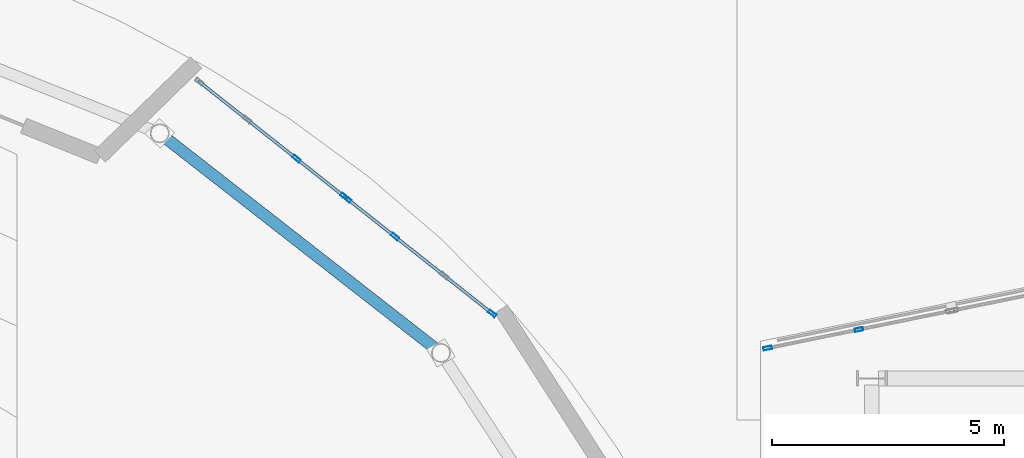
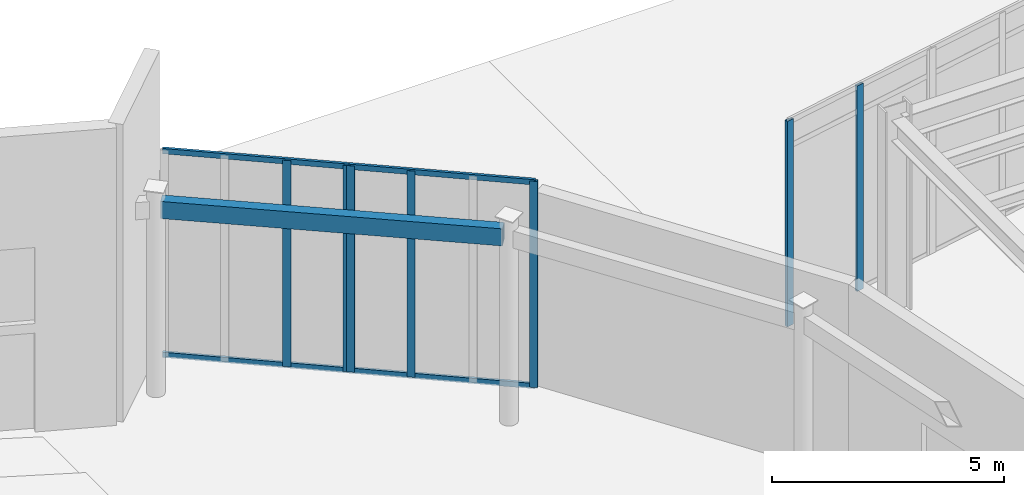
# One storey, part 43 of 94: 11 members, 1 beam, 3 elements without a shape of their own.
"""IFC4 building model written with IfcOpenShell, lengths in metres."""

from ifc_helpers import new_model, si_unit, direction, frame, origin, origin_2d, place, context, subcontext, project, spatial, hollow_rectangle, extrude, material, layer, layer_set, material_profile, profile_set, type_object, element, aggregate, save


model = new_model("IFC4")

# Units and contexts
model_context = context("Model", 3, precision=1e-05, world=origin(), true_north=direction((0.0, 1.0)))
body_context = subcontext(model_context, "Body", "Model", "MODEL_VIEW")
ifc_project = project(units=[si_unit("LENGTHUNIT", "METRE"), si_unit("AREAUNIT", "SQUARE_METRE"), si_unit("VOLUMEUNIT", "CUBIC_METRE"), si_unit("PLANEANGLEUNIT", "RADIAN"), si_unit("MASSUNIT", "GRAM", prefix="KILO")], contexts=[model_context])

# Site, building, storey
site_placement = place(None, origin())
site = spatial("IfcSite", under=ifc_project, at=site_placement, CompositionType="ELEMENT")
building_placement = place(site_placement, origin())
building = spatial("IfcBuilding", under=site, at=building_placement, Name="Sollismere Congress Hotel", CompositionType="ELEMENT")
storey_placement = place(building_placement, origin())
storey = spatial("IfcBuildingStorey", under=building, at=storey_placement, Name="L00", CompositionType="ELEMENT", Elevation=0.0)

# Beam
ifc_material_1 = material(Name="Steel ASTM A500 Grade C", Category="steel")
ifc_material_profile_1 = material_profile(ifc_material_1, hollow_rectangle(XDim=0.25, YDim=0.449951171875, WallThickness=0.01611328125, at=origin_2d()), Name="HSS450X250X16")
ifc_profile_set_1 = profile_set([ifc_material_profile_1], Name="Steel ASTM A500 Grade C")
beam_type = type_object("IfcBeamType", Name="BM-BX450", PredefinedType="HOLLOWCORE", material=ifc_profile_set_1)
beam_placement = place(storey_placement, frame((51.031982421875, 103.02294921875, 4.889892578125), z_axis=(-0.788263734949, 0.615337536775, 0.0), x_axis=(-0.615337536775, -0.788263734949, 0.0)))
element("IfcBeam", 1, at=beam_placement, inside=storey, type_object=beam_type, Name="Beam BM-L00-4168", PredefinedType="HOLLOWCORE", context=body_context, shape_type="SweptSolid", body=[
    extrude(hollow_rectangle(XDim=0.25, YDim=0.449951171875, WallThickness=0.01611328125, at=origin_2d()), origin(), (0.0, 0.0, 1.0), 7.43603515625),
])

# Curtain wall, members
ifc_material_2 = material(Name="Anodized Bronze Curtain Wall & Low-E Triple Glazing", Category="glass")
ifc_layer = layer(ifc_material_2, 0.199951171875, Name="Anodized Bronze Curtain Wall & Low-E Triple Glazing")
ifc_layer_set = layer_set([ifc_layer], Name="Anodized Bronze Curtain Wall & Low-E Triple Glazing")
curtain_wall_type = type_object("IfcCurtainWallType", Name="CW-GLZ36", PredefinedType="USERDEFINED", material=ifc_layer_set)
curtain_wall_1_placement = place(storey_placement, origin())
curtain_wall_1 = element("IfcCurtainWall", 2, at=curtain_wall_1_placement, inside=storey, type_object=curtain_wall_type, Name="Unitised curtain wall CW-L00-001", ObjectType="UNITISED CURTAIN WALL", PredefinedType="USERDEFINED")
ifc_material_3 = material(Name="Anodized Aluminum 6063-T6", Category="aluminium")
ifc_material_profile_2 = material_profile(ifc_material_3, hollow_rectangle(XDim=0.074951171875, YDim=0.179931640625, WallThickness=0.0048828125, at=origin_2d()), Name="ALU180X75X5")
ifc_profile_set_2 = profile_set([ifc_material_profile_2], Name="Anodized Aluminum 6063-T6")
member_type_1 = type_object("IfcMemberType", Name="ML-CW180", PredefinedType="MULLION", material=ifc_profile_set_2)
member_1_placement = place(storey_placement, frame((52.2294921875, 103.795654296875, 0.0), z_axis=(0.0, 0.0, 1.0), x_axis=(-0.620532077362, -0.784181063891, 0.0)))
member_1 = element("IfcMember", 3, at=member_1_placement, type_object=member_type_1, Name="CWL-CW-L00-001-ML01", PredefinedType="MULLION", context=body_context, shape_type="SweptSolid", body=[
    extrude(hollow_rectangle(XDim=0.074951171875, YDim=0.179931640625, WallThickness=0.0048828125, at=origin_2d()), origin(), (0.0, 0.0, 1.0), 5.419921875),
])
member_2_placement = place(storey_placement, frame((50.13916015625, 105.44970703125, 0.0), z_axis=(0.0, 0.0, 1.0), x_axis=(-0.620532077362, -0.784181063891, 0.0)))
member_2 = element("IfcMember", 4, at=member_2_placement, type_object=member_type_1, Name="CWL-CW-L00-001-ML03", PredefinedType="MULLION", context=body_context, shape_type="SweptSolid", body=[
    extrude(hollow_rectangle(XDim=0.074951171875, YDim=0.179931640625, WallThickness=0.0048828125, at=origin_2d()), origin(), (0.0, 0.0, 1.0), 5.419921875),
])
member_3_placement = place(storey_placement, frame((49.10888671875, 106.264892578125, 0.0), z_axis=(0.0, 0.0, 1.0), x_axis=(-0.620532077362, -0.784181063891, 0.0)))
member_3 = element("IfcMember", 5, at=member_3_placement, type_object=member_type_1, Name="CWL-CW-L00-001-ML04", PredefinedType="MULLION", context=body_context, shape_type="SweptSolid", body=[
    extrude(hollow_rectangle(XDim=0.074951171875, YDim=0.179931640625, WallThickness=0.0048828125, at=origin_2d()), origin(), (0.0, 0.0, 1.0), 5.419921875),
])

curtain_wall_2_placement = place(storey_placement, origin())
curtain_wall_2 = element("IfcCurtainWall", 6, at=curtain_wall_2_placement, inside=storey, type_object=curtain_wall_type, Name="Unitised curtain wall CW-L00-002", ObjectType="UNITISED CURTAIN WALL", PredefinedType="USERDEFINED")
member_4_placement = place(storey_placement, frame((49.04931640625, 106.312255859375, 0.0), z_axis=(0.0, 0.0, 1.0), x_axis=(-0.620532077362, -0.784181063891, 0.0)))
member_4 = element("IfcMember", 7, at=member_4_placement, type_object=member_type_1, Name="CWL-CW-L00-002-ML01", PredefinedType="MULLION", context=body_context, shape_type="SweptSolid", body=[
    extrude(hollow_rectangle(XDim=0.074951171875, YDim=0.179931640625, WallThickness=0.0048828125, at=origin_2d()), origin(), (0.0, 0.0, 1.0), 5.419921875),
])
member_5_placement = place(storey_placement, frame((48.018798828125, 107.12744140625, 0.0), z_axis=(0.0, 0.0, 1.0), x_axis=(-0.620532077362, -0.784181063891, 0.0)))
member_5 = element("IfcMember", 8, at=member_5_placement, type_object=member_type_1, Name="CWL-CW-L00-002-ML02", PredefinedType="MULLION", context=body_context, shape_type="SweptSolid", body=[
    extrude(hollow_rectangle(XDim=0.074951171875, YDim=0.179931640625, WallThickness=0.0048828125, at=origin_2d()), origin(), (0.0, 0.0, 1.0), 5.419921875),
])

curtain_wall_3_placement = place(storey_placement, origin())
curtain_wall_3 = element("IfcCurtainWall", 9, at=curtain_wall_3_placement, inside=storey, type_object=curtain_wall_type, Name="Unitised curtain wall CW-L00-065", ObjectType="UNITISED CURTAIN WALL", PredefinedType="USERDEFINED")
member_6_placement = place(storey_placement, frame((58.15478515625, 103.051513671875, 0.0), z_axis=(0.0, 0.0, 1.0), x_axis=(-0.199367934417, 0.979924704621, 0.0)))
member_6 = element("IfcMember", 10, at=member_6_placement, type_object=member_type_1, Name="CWL-CW-L00-065-ML01", PredefinedType="MULLION", context=body_context, shape_type="SweptSolid", body=[
    extrude(hollow_rectangle(XDim=0.074951171875, YDim=0.179931640625, WallThickness=0.0048828125, at=origin_2d()), origin(), (0.0, 0.0, 1.0), 5.39990234375),
])
member_7_placement = place(storey_placement, frame((60.121337890625, 103.45166015625, 0.0), z_axis=(0.0, 0.0, 1.0), x_axis=(-0.199367934417, 0.979924704621, 0.0)))
member_7 = element("IfcMember", 11, at=member_7_placement, type_object=member_type_1, Name="CWL-CW-L00-065-ML02", PredefinedType="MULLION", context=body_context, shape_type="SweptSolid", body=[
    extrude(hollow_rectangle(XDim=0.074951171875, YDim=0.179931640625, WallThickness=0.0048828125, at=origin_2d()), origin(), (0.0, 0.0, 1.0), 5.39990234375),
])
aggregate(curtain_wall_3, [member_6, member_7])

# Member
ifc_material_profile_3 = material_profile(ifc_material_3, hollow_rectangle(XDim=0.06494140625, YDim=0.139892578125, WallThickness=0.00390625, at=origin_2d()), Name="ALU140X65X4")
ifc_profile_set_3 = profile_set([ifc_material_profile_3], Name="Anodized Aluminum 6063-T6")
member_type_2 = type_object("IfcMemberType", Name="TR-CW150", PredefinedType="MEMBER", material=ifc_profile_set_3)
member_8_placement = place(storey_placement, frame((52.25927734375, 103.772216796875, 0.032470703125), z_axis=(-0.78419961589, 0.620508632042, 0.0), x_axis=(-0.620508632042, -0.78419961589, 0.0)))
member_8 = element("IfcMember", 12, at=member_8_placement, type_object=member_type_2, Name="CWL-CW-L00-001-TR1", PredefinedType="MEMBER", context=body_context, shape_type="SweptSolid", body=[
    extrude(hollow_rectangle(XDim=0.06494140625, YDim=0.139892578125, WallThickness=0.00390625, at=origin_2d()), origin(), (0.0, 0.0, 1.0), 4.055419921875),
])

member_9_placement = place(storey_placement, frame((52.25927734375, 103.772216796875, 5.387451171875), z_axis=(-0.78419961589, 0.620508632042, 0.0), x_axis=(-0.620508632042, -0.78419961589, 0.0)))
member_9 = element("IfcMember", 13, at=member_9_placement, type_object=member_type_2, Name="CWL-CW-L00-001-TR2", PredefinedType="MEMBER", context=body_context, shape_type="SweptSolid", body=[
    extrude(hollow_rectangle(XDim=0.06494140625, YDim=0.139892578125, WallThickness=0.00390625, at=origin_2d()), origin(), (0.0, 0.0, 1.0), 4.055419921875),
])

aggregate(curtain_wall_1, [member_1, member_2, member_3, member_8, member_9])

member_10_placement = place(storey_placement, frame((49.0791015625, 106.28857421875, 0.032470703125), z_axis=(-0.784193501486, 0.620516359355, 0.0), x_axis=(-0.620516359355, -0.784193501486, 0.0)))
member_10 = element("IfcMember", 14, at=member_10_placement, type_object=member_type_2, Name="CWL-CW-L00-002-TR1", PredefinedType="MEMBER", context=body_context, shape_type="SweptSolid", body=[
    extrude(hollow_rectangle(XDim=0.06494140625, YDim=0.139892578125, WallThickness=0.00390625, at=origin_2d()), origin(), (0.0, 0.0, 1.0), 4.0556640625),
])

member_11_placement = place(storey_placement, frame((49.0791015625, 106.28857421875, 5.387451171875), z_axis=(-0.784193501486, 0.620516359355, 0.0), x_axis=(-0.620516359355, -0.784193501486, 0.0)))
member_11 = element("IfcMember", 15, at=member_11_placement, type_object=member_type_2, Name="CWL-CW-L00-002-TR2", PredefinedType="MEMBER", context=body_context, shape_type="SweptSolid", body=[
    extrude(hollow_rectangle(XDim=0.06494140625, YDim=0.139892578125, WallThickness=0.00390625, at=origin_2d()), origin(), (0.0, 0.0, 1.0), 4.0556640625),
])

aggregate(curtain_wall_2, [member_4, member_5, member_10, member_11])

save(model, "model.ifc")
